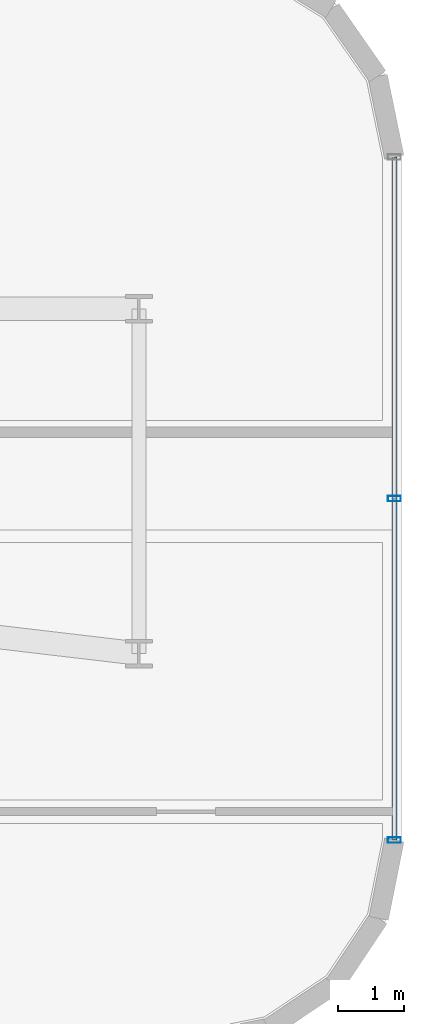
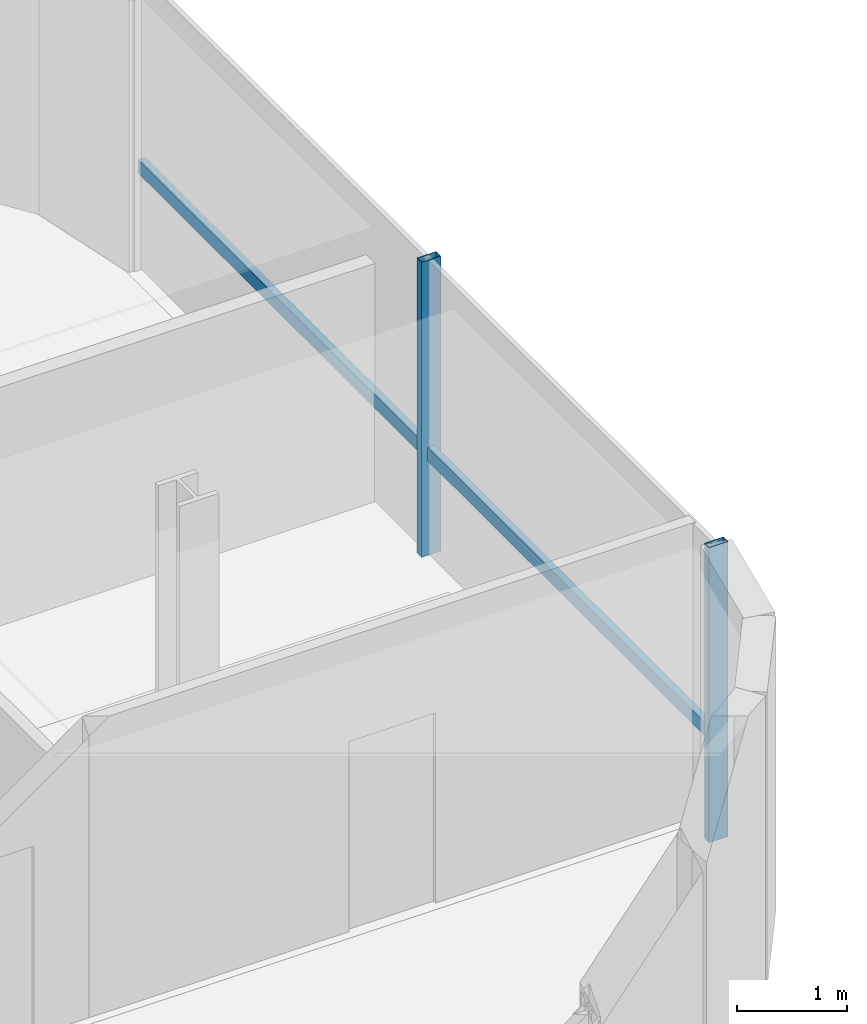
# One storey, part 12 of 24: 3 members, 1 element without a shape of its own.
"""IFC4 building model written with IfcOpenShell, lengths in metres."""

from ifc_helpers import new_model, si_unit, direction, frame, origin, origin_2d, place, context, subcontext, project, spatial, hollow_rectangle, extrude, source, transform, mapped, material, material_profile, profile_set, type_object, element, aggregate, save


model = new_model("IFC4")

# Units and contexts
model_context = context("Model", 3, precision=1e-05, world=origin(), true_north=direction((0.0, 1.0)))
body_context = subcontext(model_context, "Body", "Model", "MODEL_VIEW")
ifc_project = project(units=[si_unit("LENGTHUNIT", "METRE"), si_unit("AREAUNIT", "SQUARE_METRE"), si_unit("VOLUMEUNIT", "CUBIC_METRE"), si_unit("PLANEANGLEUNIT", "RADIAN"), si_unit("MASSUNIT", "GRAM", prefix="KILO")], contexts=[model_context])

# Site, building, storey
site_placement = place(None, origin())
site = spatial("IfcSite", under=ifc_project, at=site_placement, CompositionType="ELEMENT")
building_placement = place(site_placement, origin())
building = spatial("IfcBuilding", under=site, at=building_placement, Name="Valdorenza Pilgrim Sanctuary Tower", CompositionType="ELEMENT")
storey_placement = place(building_placement, frame((0.0, 0.0, 205.5)))
storey = spatial("IfcBuildingStorey", under=building, at=storey_placement, Name="L52", CompositionType="ELEMENT", Elevation=205.5)

# Curtain wall, members
ifc_material_1 = material(Name="Curtain-wall IGU glazing", Category="glass")
curtain_wall_type = type_object("IfcCurtainWallType", Name="CW-SYS-02", PredefinedType="NOTDEFINED", material=ifc_material_1)
curtain_wall_placement = place(storey_placement, origin())
curtain_wall = element("IfcCurtainWall", 1, at=curtain_wall_placement, inside=storey, type_object=curtain_wall_type, Name="L52 Curtain Wall CW-L52-1-11", PredefinedType="NOTDEFINED")
ifc_material_2 = material(Name="Anodised aluminium AW-6060", Category="aluminium")
ifc_material_profile_1 = material_profile(ifc_material_2, hollow_rectangle(XDim=0.0849609375, YDim=0.199951171875, WallThickness=0.0048828125, at=origin_2d()), Name="ALU-M 200x85x5")
ifc_profile_set_1 = profile_set([ifc_material_profile_1], Name="Anodised aluminium AW-6060")
member_type_1 = type_object("IfcMemberType", Name="CW-MUL-02", PredefinedType="MULLION", material=ifc_profile_set_1)
shared_shape_1 = source(origin(), body_context, "Body", "SweptSolid", [
    extrude(hollow_rectangle(XDim=0.0849609375, YDim=0.199951171875, WallThickness=0.0048828125, at=origin_2d()), origin(), (0.0, 0.0, 1.0), 3.260009765625),
])
member_1_placement = place(storey_placement, frame((0.389892578125, 11.9111328125, 0.0), z_axis=(0.0, 0.0, 1.0), x_axis=(0.0, -1.0, 0.0)))
member_1 = element("IfcMember", 2, at=member_1_placement, type_object=member_type_1, Name="CW-L52-1-11 Mullion 2", PredefinedType="MULLION", context=body_context, shape_type="MappedRepresentation", body=[
    mapped(shared_shape_1, transform((0.0, 0.0, 0.0), x_axis=(1.0, 0.0, 0.0), y_axis=(0.0, 1.0, 0.0), z_axis=(0.0, 0.0, 1.0), scale=1.0)),
])
member_2_placement = place(storey_placement, frame((0.389892578125, 6.710693359375, 0.0), z_axis=(0.0, 0.0, 1.0), x_axis=(0.0, -1.0, 0.0)))
member_2 = element("IfcMember", 3, at=member_2_placement, type_object=member_type_1, Name="CW-L52-1-11 Mullion 3", PredefinedType="MULLION", context=body_context, shape_type="MappedRepresentation", body=[
    mapped(shared_shape_1, transform((0.0, 0.0, 0.0), x_axis=(1.0, 0.0, 0.0), y_axis=(0.0, 1.0, 0.0), z_axis=(0.0, 0.0, 1.0), scale=1.0)),
])
ifc_material_profile_2 = material_profile(ifc_material_2, hollow_rectangle(XDim=0.074951171875, YDim=0.14990234375, WallThickness=0.00390625, at=origin_2d()), Name="ALU-T 150x75x4")
ifc_profile_set_2 = profile_set([ifc_material_profile_2], Name="Anodised aluminium AW-6060")
member_type_2 = type_object("IfcMemberType", Name="CW-TRN-02", PredefinedType="USERDEFINED", material=ifc_profile_set_2)
shared_shape_2 = source(origin(), body_context, "Body", "SweptSolid", [
    extrude(hollow_rectangle(XDim=0.074951171875, YDim=0.14990234375, WallThickness=0.00390625, at=origin_2d()), origin(), (0.0, 0.0, 1.0), 10.400634765625),
])
member_3_placement = place(storey_placement, frame((0.389892578125, 17.111328125, 1.1201171875), z_axis=(0.0, -1.0, 0.0), x_axis=(1.0, 0.0, 0.0)))
member_3 = element("IfcMember", 4, at=member_3_placement, type_object=member_type_2, Name="CW-L52-1-11 Transom 1", ObjectType="TRANSOM", PredefinedType="USERDEFINED", context=body_context, shape_type="MappedRepresentation", body=[
    mapped(shared_shape_2, transform((0.0, 0.0, 0.0), x_axis=(1.0, 0.0, 0.0), y_axis=(0.0, 1.0, 0.0), z_axis=(0.0, 0.0, 1.0), scale=1.0)),
])
aggregate(curtain_wall, [member_1, member_2, member_3])

save(model, "model.ifc")
